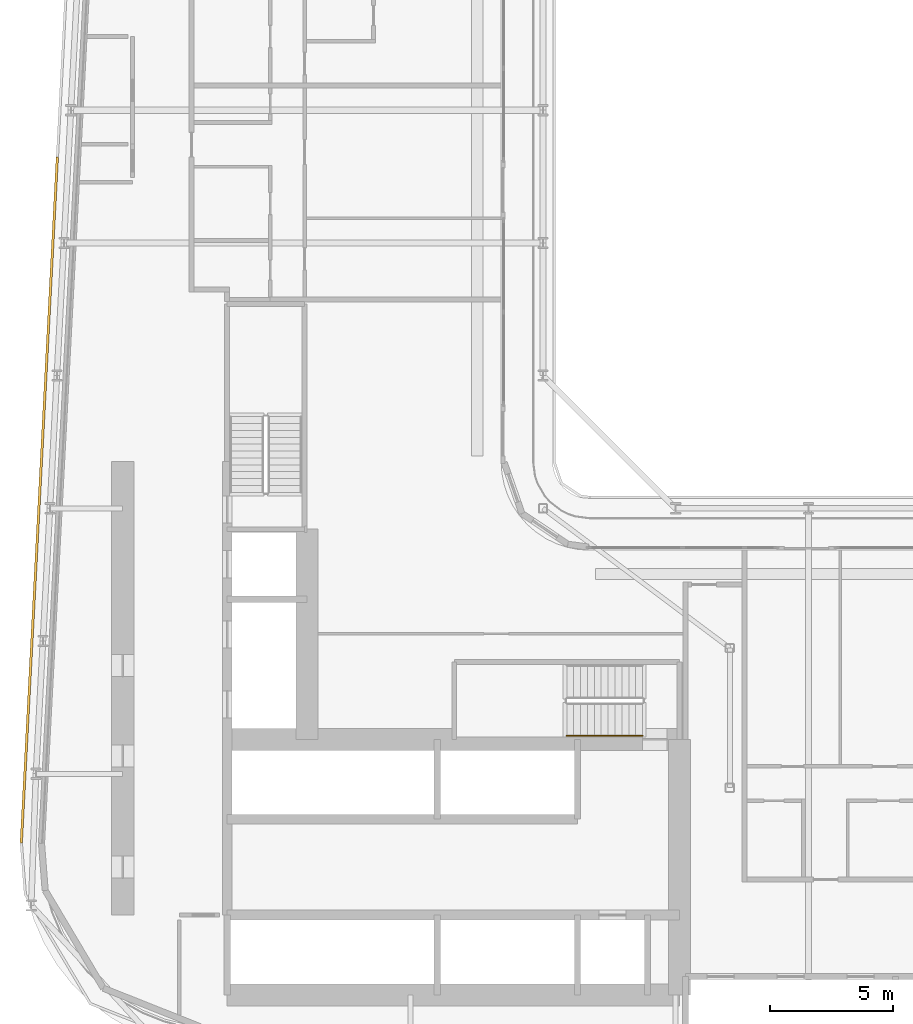
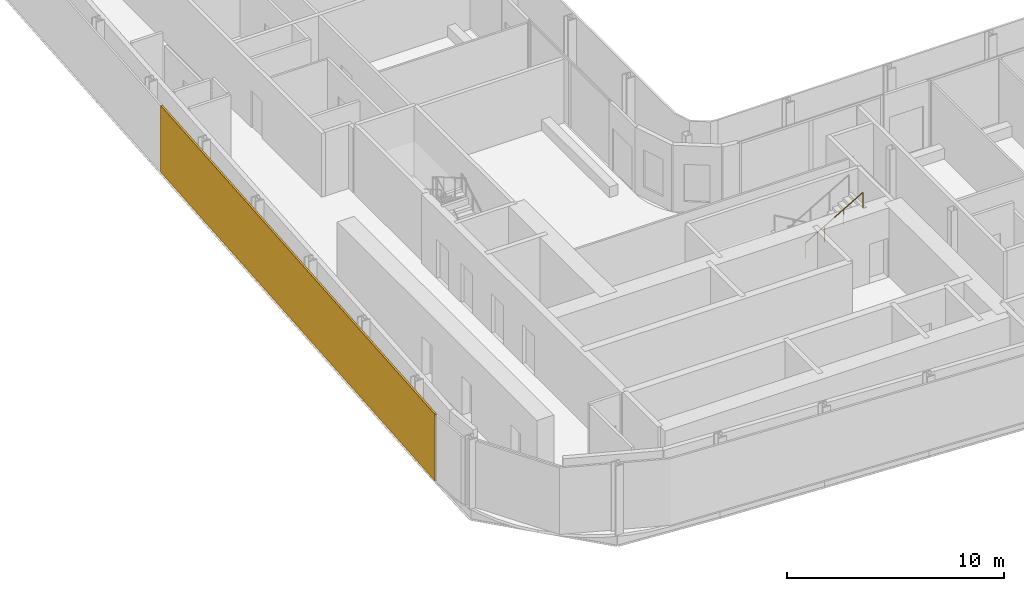
# One storey, part 21 of 28: 1 railing, 1 shading device.
"""IFC4 building model written with IfcOpenShell, lengths in metres."""

from ifc_helpers import new_model, si_unit, direction, frame, origin, origin_2d, place, context, subcontext, project, spatial, rectangle, circle, extrude, material, layer, layer_set, type_object, element, save


model = new_model("IFC4")

# Units and contexts
model_context = context("Model", 3, precision=1e-05, world=origin(), true_north=direction((0.0, 1.0)))
body_context = subcontext(model_context, "Body", "Model", "MODEL_VIEW")
ifc_project = project(units=[si_unit("LENGTHUNIT", "METRE"), si_unit("AREAUNIT", "SQUARE_METRE"), si_unit("VOLUMEUNIT", "CUBIC_METRE"), si_unit("PLANEANGLEUNIT", "RADIAN"), si_unit("MASSUNIT", "GRAM", prefix="KILO")], contexts=[model_context])

# Site, building, storey
site_placement = place(None, origin())
site = spatial("IfcSite", under=ifc_project, at=site_placement, CompositionType="ELEMENT")
building_placement = place(site_placement, origin())
building = spatial("IfcBuilding", under=site, at=building_placement, Name="Kheshtan School and Residences Tower", CompositionType="ELEMENT")
storey_placement = place(building_placement, frame((0.0, 0.0, 94.10009765625)))
storey = spatial("IfcBuildingStorey", under=building, at=storey_placement, Name="L21", CompositionType="ELEMENT", Elevation=94.10009765625)

# Shading device
ifc_material_1 = material(Name="Terracotta baguette, extruded ceramic", Category="masonry")
ifc_layer = layer(ifc_material_1, 0.10009765625)
ifc_layer_set = layer_set([ifc_layer], Name="Ledge screen, terracotta baguettes")
shading_device_type = type_object("IfcShadingDeviceType", Name="Ledge screen, terracotta baguettes", PredefinedType="USERDEFINED", material=ifc_layer_set)
shading_device_placement = place(storey_placement, frame((27.10400390625, 45.93896484375, 0.0), z_axis=(0.0, 0.0, 1.0), x_axis=(0.052562536748, 0.998617634398, 0.0)))
element("IfcShadingDevice", 1, at=shading_device_placement, inside=storey, type_object=shading_device_type, Name="Screen L21 4", ObjectType="BAGUETTE", PredefinedType="USERDEFINED", context=body_context, shape_type="SweptSolid", body=[
    extrude(rectangle(XDim=27.93408203125, YDim=0.10009765625, at=origin_2d()), origin(), (0.0, 0.0, 1.0), 3.75),
])

# Railing
ifc_material_2 = material(Name="Stainless steel handrail", Category="steel")
railing_type = type_object("IfcRailingType", Name="Stair handrail 900", PredefinedType="HANDRAIL", material=ifc_material_2)
railing_placement = place(storey_placement, frame((48.570068359375, 36.35009765625, 2.1123046875)))
element("IfcRailing", 2, at=railing_placement, inside=storey, type_object=railing_type, Name="L21 ST1 stair handrail 2", PredefinedType="HANDRAIL", context=body_context, shape_type="SweptSolid", body=[
    extrude(circle(Radius=0.02392578125, at=origin_2d()), frame((0.0, 0.0, 0.8759765625), z_axis=(0.864873446163, 0.0, 0.501989962173), x_axis=(0.0, 1.0, 0.0)), (0.0, 0.0, 1.0), 3.56103515625),
    extrude(circle(Radius=0.02099609375, at=origin_2d()), origin(), (0.0, 0.0, 1.0), 0.851806640625),
    extrude(circle(Radius=0.02099609375, at=origin_2d()), frame((1.026611328125, 0.0, 0.595947265625)), (0.0, 0.0, 1.0), 0.851806640625),
    extrude(circle(Radius=0.02099609375, at=origin_2d()), frame((2.05322265625, 0.0, 1.191650390625)), (0.0, 0.0, 1.0), 0.851806640625),
    extrude(circle(Radius=0.02099609375, at=origin_2d()), frame((3.079833984375, 0.0, 1.78759765625)), (0.0, 0.0, 1.0), 0.851806640625),
])

save(model, "model.ifc")
